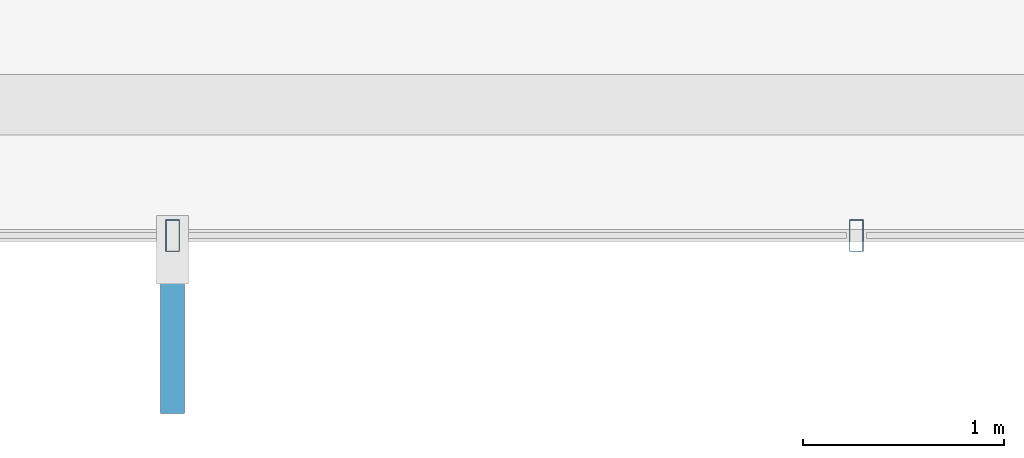
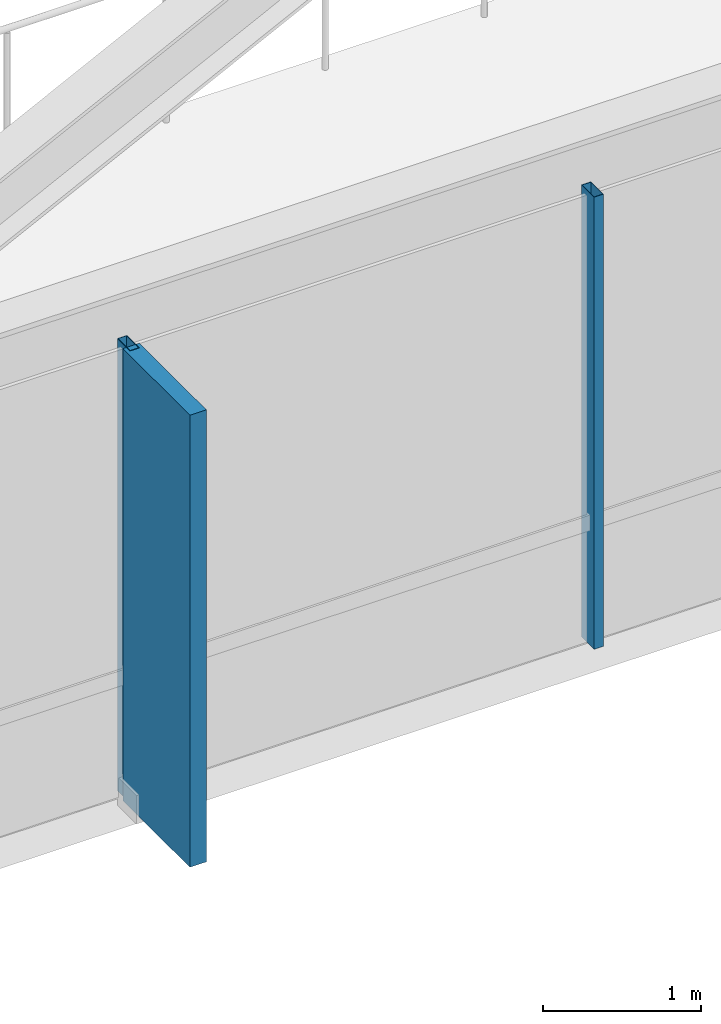
# One storey, part 6 of 29: 3 members, 1 element without a shape of its own.
"""IFC4 building model written with IfcOpenShell, lengths in metres."""

from ifc_helpers import new_model, si_unit, direction, frame, origin, origin_2d, place, context, subcontext, project, spatial, rectangle, hollow_rectangle, extrude, material, layer, layer_set, material_profile, profile_set, type_object, element, aggregate, save


model = new_model("IFC4")

# Units and contexts
model_context = context("Model", 3, precision=1e-05, world=origin(), true_north=direction((0.0, 1.0)))
body_context = subcontext(model_context, "Body", "Model", "MODEL_VIEW")
ifc_project = project(units=[si_unit("LENGTHUNIT", "METRE"), si_unit("AREAUNIT", "SQUARE_METRE"), si_unit("VOLUMEUNIT", "CUBIC_METRE"), si_unit("PLANEANGLEUNIT", "RADIAN"), si_unit("MASSUNIT", "GRAM", prefix="KILO")], contexts=[model_context])

# Site, building, storey
site_placement = place(None, origin())
site = spatial("IfcSite", under=ifc_project, at=site_placement, CompositionType="ELEMENT")
building_placement = place(site_placement, origin())
building = spatial("IfcBuilding", under=site, at=building_placement, Name="Zarrinselat Tower", CompositionType="ELEMENT")
storey_placement = place(building_placement, frame((0.0, 0.0, 138.3798828125)))
storey = spatial("IfcBuildingStorey", under=building, at=storey_placement, Name="L33", CompositionType="ELEMENT", Elevation=138.3798828125)

# Curtain wall, members
ifc_material_1 = material(Name="Extruded Aluminium Alloy EN AW-6063 T6", Category="aluminium")
ifc_layer = layer(ifc_material_1, 0.175048828125)
ifc_layer_set = layer_set([ifc_layer], Name="Extruded Aluminium Alloy EN AW-6063 T6")
curtain_wall_type = type_object("IfcCurtainWallType", Name="CWS-HTL", PredefinedType="NOTDEFINED", material=ifc_layer_set)
curtain_wall_placement = place(storey_placement, origin())
curtain_wall = element("IfcCurtainWall", 1, at=curtain_wall_placement, inside=storey, type_object=curtain_wall_type, Name="L33 Unitised Curtain Wall CW-L33-E04", PredefinedType="NOTDEFINED")
ifc_material_2 = material(Name="Extruded Aluminium Alloy EN AW-6063 T6", Category="aluminium")
ifc_material_profile_1 = material_profile(ifc_material_2, hollow_rectangle(XDim=0.070068359375, YDim=0.159912109375, WallThickness=0.00390625, at=origin_2d()), Name="RHS 160x70x4")
ifc_profile_set_1 = profile_set([ifc_material_profile_1], Name="Extruded Aluminium Alloy EN AW-6063 T6")
member_type_1 = type_object("IfcMemberType", Name="MEM-CW-MUL2", PredefinedType="MULLION", material=ifc_profile_set_1)
member_1_placement = place(storey_placement, frame((33.302001953125, 17.94580078125, 0.0), z_axis=(0.0, 0.0, 1.0), x_axis=(1.0, 0.0, 0.0)))
member_1 = element("IfcMember", 2, at=member_1_placement, type_object=member_type_1, Name="CW-L33-E04 Mullion 1", PredefinedType="MULLION", context=body_context, shape_type="SweptSolid", body=[
    extrude(hollow_rectangle(XDim=0.070068359375, YDim=0.159912109375, WallThickness=0.00390625, at=origin_2d()), origin(), (0.0, 0.0, 1.0), 3.5),
])
member_2_placement = place(storey_placement, frame((36.70068359375, 17.94580078125, 0.0), z_axis=(0.0, 0.0, 1.0), x_axis=(1.0, 0.0, 0.0)))
member_2 = element("IfcMember", 3, at=member_2_placement, type_object=member_type_1, Name="CW-L33-E04 Mullion 2", PredefinedType="MULLION", context=body_context, shape_type="SweptSolid", body=[
    extrude(hollow_rectangle(XDim=0.070068359375, YDim=0.159912109375, WallThickness=0.00390625, at=origin_2d()), origin(), (0.0, 0.0, 1.0), 3.5),
])
ifc_material_3 = material(Name="Honed Cream Travertine Stone", Category="masonry")
ifc_material_profile_2 = material_profile(ifc_material_3, rectangle(XDim=0.1201171875, YDim=0.85009765625, at=origin_2d()), Name="FIN 850x120")
ifc_profile_set_2 = profile_set([ifc_material_profile_2], Name="Honed Cream Travertine Stone")
member_type_2 = type_object("IfcMemberType", Name="MEM-STONE-FIN", PredefinedType="USERDEFINED", material=ifc_profile_set_2)
member_3_placement = place(storey_placement, frame((33.302001953125, 17.48583984375, 0.0), z_axis=(0.0, 0.0, 1.0), x_axis=(-1.0, 0.0, 0.0)))
member_3 = element("IfcMember", 4, at=member_3_placement, type_object=member_type_2, Name="L33 Stone Shading Fin CW-L33-E04-01", ObjectType="FIN", PredefinedType="USERDEFINED", context=body_context, shape_type="SweptSolid", body=[
    extrude(rectangle(XDim=0.1201171875, YDim=0.85009765625, at=origin_2d()), origin(), (0.0, 0.0, 1.0), 3.5),
])
aggregate(curtain_wall, [member_1, member_3, member_2])

save(model, "model.ifc")
